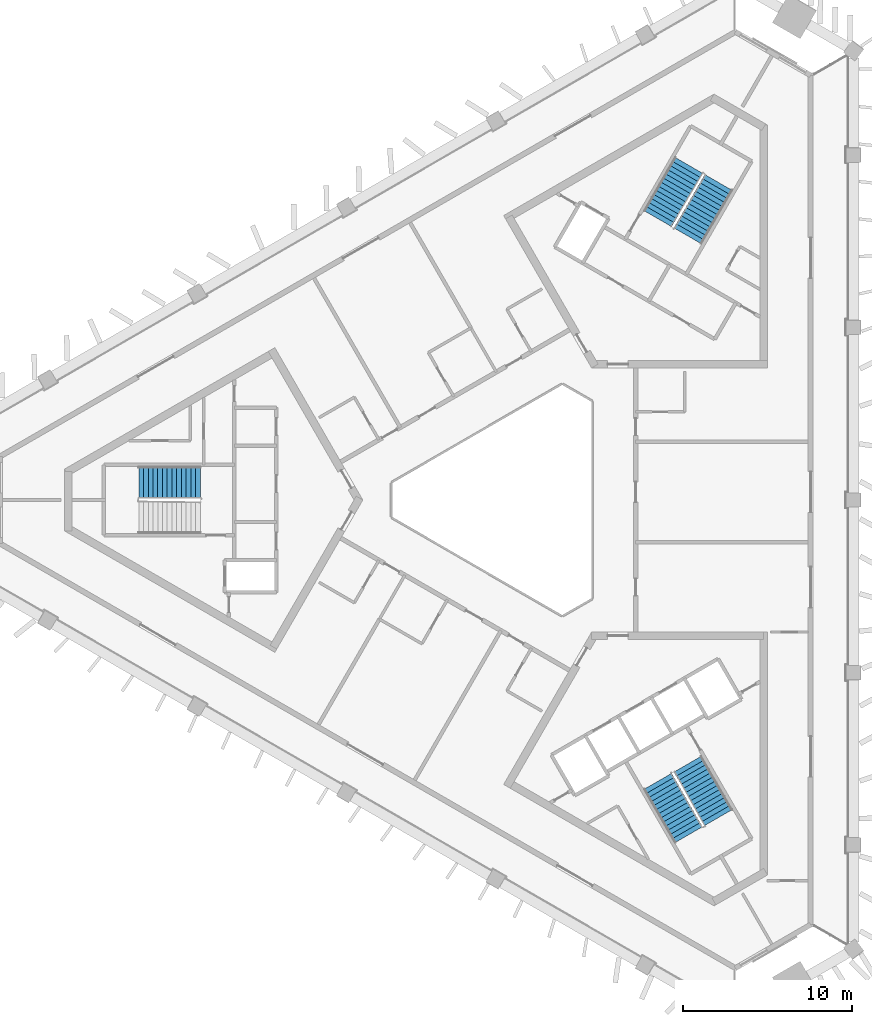
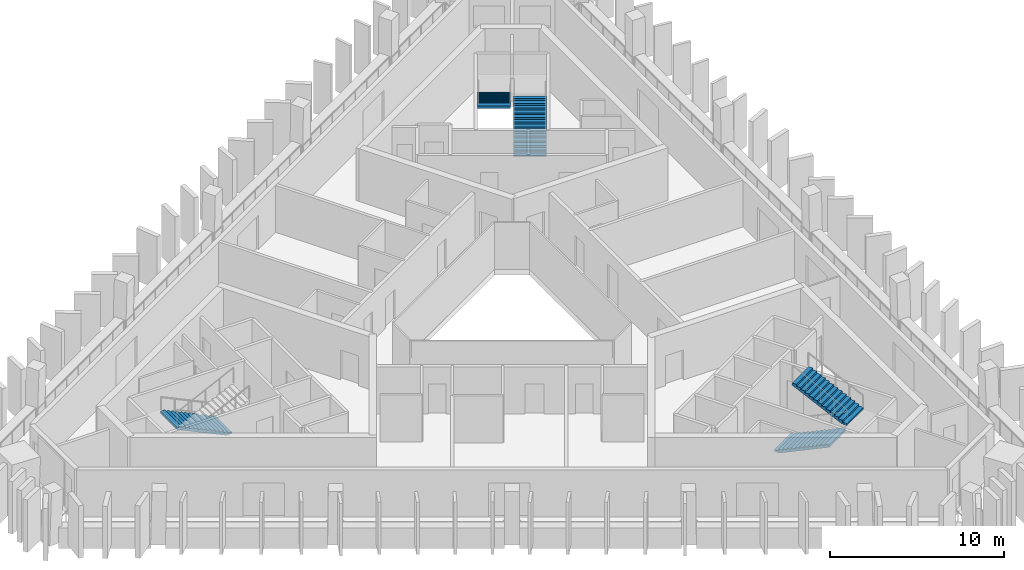
# One storey, part 6 of 9: 5 stair flights, 3 elements without a shape of their own.
"""IFC4 building model written with IfcOpenShell, lengths in metres."""

from ifc_helpers import new_model, si_unit, direction, frame, origin, place, context, subcontext, project, spatial, polyline, outline, extrude, material, type_object, element, aggregate, save


model = new_model("IFC4")

# Units and contexts
model_context = context("Model", 3, precision=1e-05, world=origin(), true_north=direction((0.0, 1.0)))
body_context = subcontext(model_context, "Body", "Model", "MODEL_VIEW")
ifc_project = project(units=[si_unit("LENGTHUNIT", "METRE"), si_unit("AREAUNIT", "SQUARE_METRE"), si_unit("VOLUMEUNIT", "CUBIC_METRE"), si_unit("PLANEANGLEUNIT", "RADIAN"), si_unit("MASSUNIT", "GRAM", prefix="KILO")], contexts=[model_context])

# Site, building, storey
site_placement = place(None, origin())
site = spatial("IfcSite", under=ifc_project, at=site_placement, CompositionType="ELEMENT")
building_placement = place(site_placement, origin())
building = spatial("IfcBuilding", under=site, at=building_placement, Name="Jabali Bay Hotel Tower and Convention Centre", CompositionType="ELEMENT")
storey_placement = place(building_placement, frame((0.0, 0.0, 231.699951171875)))
storey = spatial("IfcBuildingStorey", under=building, at=storey_placement, Name="L57", CompositionType="ELEMENT", Elevation=231.699951171875)

# Stair, stair flight
ifc_material = material(Name="Concrete C40", Category="concrete")
stair_type = type_object("IfcStairType", Name="Exit stair 1900", PredefinedType="HALF_TURN_STAIR", material=ifc_material)
stair_1_placement = place(storey_placement, origin())
stair_1 = element("IfcStair", 1, at=stair_1_placement, inside=storey, type_object=stair_type, Name="L57 Exit Stair 1", PredefinedType="HALF_TURN_STAIR")
stair_flight_type = type_object("IfcStairFlightType", Name="Stair flight concrete 150", PredefinedType="STRAIGHT", material=ifc_material)
stair_flight_1_placement = place(storey_placement, frame((56.419921875, 81.02490234375, 0.0), z_axis=(0.0, 0.0, 1.0), x_axis=(-1.0, 0.0, 0.0)))
stair_flight_1 = element("IfcStairFlight", 2, at=stair_flight_1_placement, type_object=stair_flight_type, Name="ST1 flight 1", NumberOfRisers=14, NumberOfTreads=13, PredefinedType="STRAIGHT", RiserHeight=0.132142857, TreadLength=0.28, context=body_context, shape_type="SweptSolid", body=[
    extrude(outline(polyline([(0.0, 0.0), (0.0, 0.132080078125), (0.280029296875, 0.132080078125), (0.280029296875, 0.264404296875), (0.56005859375, 0.264404296875), (0.56005859375, 0.396484375), (0.840087890625, 0.396484375), (0.840087890625, 0.528564453125), (1.1201171875, 0.528564453125), (1.1201171875, 0.66064453125), (1.39990234375, 0.66064453125), (1.39990234375, 0.79296875), (1.679931640625, 0.79296875), (1.679931640625, 0.925048828125), (1.9599609375, 0.925048828125), (1.9599609375, 1.05712890625), (2.239990234375, 1.05712890625), (2.239990234375, 1.189208984375), (2.52001953125, 1.189208984375), (2.52001953125, 1.321533203125), (2.800048828125, 1.321533203125), (2.800048828125, 1.45361328125), (3.080078125, 1.45361328125), (3.080078125, 1.585693359375), (3.360107421875, 1.585693359375), (3.360107421875, 1.7177734375), (3.639892578125, 1.7177734375), (3.639892578125, 1.85009765625), (3.639892578125, 1.552001953125), (0.351318359375, 0.0), (0.0, 0.0)])), frame((0.0, 0.949951171875, 0.0), z_axis=(0.0, -1.0, 0.0), x_axis=(1.0, 0.0, 0.0)), (0.0, 0.0, 1.0), 1.89990234375),
])
aggregate(stair_1, [stair_flight_1])

# Stair, stair flights
stair_2_placement = place(storey_placement, origin())
stair_2 = element("IfcStair", 3, at=stair_2_placement, inside=storey, type_object=stair_type, Name="L57 Exit Stair 2", PredefinedType="HALF_TURN_STAIR")
stair_flight_2_placement = place(storey_placement, frame((85.177734375, 95.578369140625, 0.0), z_axis=(0.0, 0.0, 1.0), x_axis=(0.5, 0.866025403784, 0.0)))
stair_flight_2 = element("IfcStairFlight", 4, at=stair_flight_2_placement, type_object=stair_flight_type, Name="ST2 flight 1", NumberOfRisers=14, NumberOfTreads=13, PredefinedType="STRAIGHT", RiserHeight=0.132142857, TreadLength=0.28, context=body_context, shape_type="SweptSolid", body=[
    extrude(outline(polyline([(0.0, 0.0), (0.0, 0.132080078125), (0.280029296875, 0.132080078125), (0.280029296875, 0.264404296875), (0.56005859375, 0.264404296875), (0.56005859375, 0.396484375), (0.840087890625, 0.396484375), (0.840087890625, 0.528564453125), (1.1201171875, 0.528564453125), (1.1201171875, 0.66064453125), (1.39990234375, 0.66064453125), (1.39990234375, 0.79296875), (1.679931640625, 0.79296875), (1.679931640625, 0.925048828125), (1.9599609375, 0.925048828125), (1.9599609375, 1.05712890625), (2.239990234375, 1.05712890625), (2.239990234375, 1.189208984375), (2.52001953125, 1.189208984375), (2.52001953125, 1.321533203125), (2.800048828125, 1.321533203125), (2.800048828125, 1.45361328125), (3.080078125, 1.45361328125), (3.080078125, 1.585693359375), (3.360107421875, 1.585693359375), (3.360107421875, 1.7177734375), (3.639892578125, 1.7177734375), (3.639892578125, 1.85009765625), (3.639892578125, 1.552001953125), (0.351318359375, 0.0), (0.0, 0.0)])), frame((0.0, 0.949951171875, 0.0), z_axis=(0.0, -1.0, 0.0), x_axis=(1.0, 0.0, 0.0)), (0.0, 0.0, 1.0), 1.89990234375),
])
stair_flight_3_placement = place(storey_placement, frame((85.222412109375, 99.755615234375, 1.85009765625), z_axis=(0.0, 0.0, 1.0), x_axis=(-0.5, -0.866025403784, 0.0)))
stair_flight_3 = element("IfcStairFlight", 5, at=stair_flight_3_placement, type_object=stair_flight_type, Name="ST2 flight 2", NumberOfRisers=14, NumberOfTreads=13, PredefinedType="STRAIGHT", RiserHeight=0.132142857, TreadLength=0.28, context=body_context, shape_type="SweptSolid", body=[
    extrude(outline(polyline([(0.0, 0.0), (0.0, 0.132080078125), (0.280029296875, 0.132080078125), (0.280029296875, 0.264404296875), (0.56005859375, 0.264404296875), (0.56005859375, 0.396484375), (0.840087890625, 0.396484375), (0.840087890625, 0.528564453125), (1.1201171875, 0.528564453125), (1.1201171875, 0.66064453125), (1.39990234375, 0.66064453125), (1.39990234375, 0.79296875), (1.679931640625, 0.79296875), (1.679931640625, 0.925048828125), (1.9599609375, 0.925048828125), (1.9599609375, 1.05712890625), (2.239990234375, 1.05712890625), (2.239990234375, 1.189208984375), (2.52001953125, 1.189208984375), (2.52001953125, 1.321533203125), (2.800048828125, 1.321533203125), (2.800048828125, 1.45361328125), (3.080078125, 1.45361328125), (3.080078125, 1.585693359375), (3.360107421875, 1.585693359375), (3.360107421875, 1.7177734375), (3.639892578125, 1.7177734375), (3.639892578125, 1.85009765625), (3.639892578125, 1.552001953125), (0.351318359375, 0.0), (0.0, 0.0)])), frame((0.0, 0.949951171875, 0.0), z_axis=(0.0, -1.0, 0.0), x_axis=(1.0, 0.0, 0.0)), (0.0, 0.0, 1.0), 1.89990234375),
])
aggregate(stair_2, [stair_flight_2, stair_flight_3])

stair_3_placement = place(storey_placement, origin())
stair_3 = element("IfcStair", 6, at=stair_3_placement, inside=storey, type_object=stair_type, Name="L57 Exit Stair 3", PredefinedType="HALF_TURN_STAIR")
stair_flight_4_placement = place(storey_placement, frame((83.40234375, 63.396728515625, 0.0), z_axis=(0.0, 0.0, 1.0), x_axis=(0.5, -0.866025403784, 0.0)))
stair_flight_4 = element("IfcStairFlight", 7, at=stair_flight_4_placement, type_object=stair_flight_type, Name="ST3 flight 1", NumberOfRisers=14, NumberOfTreads=13, PredefinedType="STRAIGHT", RiserHeight=0.132142857, TreadLength=0.28, context=body_context, shape_type="SweptSolid", body=[
    extrude(outline(polyline([(0.0, 0.0), (0.0, 0.132080078125), (0.280029296875, 0.132080078125), (0.280029296875, 0.264404296875), (0.56005859375, 0.264404296875), (0.56005859375, 0.396484375), (0.840087890625, 0.396484375), (0.840087890625, 0.528564453125), (1.1201171875, 0.528564453125), (1.1201171875, 0.66064453125), (1.39990234375, 0.66064453125), (1.39990234375, 0.79296875), (1.679931640625, 0.79296875), (1.679931640625, 0.925048828125), (1.9599609375, 0.925048828125), (1.9599609375, 1.05712890625), (2.239990234375, 1.05712890625), (2.239990234375, 1.189208984375), (2.52001953125, 1.189208984375), (2.52001953125, 1.321533203125), (2.800048828125, 1.321533203125), (2.800048828125, 1.45361328125), (3.080078125, 1.45361328125), (3.080078125, 1.585693359375), (3.360107421875, 1.585693359375), (3.360107421875, 1.7177734375), (3.639892578125, 1.7177734375), (3.639892578125, 1.85009765625), (3.639892578125, 1.552001953125), (0.351318359375, 0.0), (0.0, 0.0)])), frame((0.0, 0.949951171875, 0.0), z_axis=(0.0, -1.0, 0.0), x_axis=(1.0, 0.0, 0.0)), (0.0, 0.0, 1.0), 1.89990234375),
])
stair_flight_5_placement = place(storey_placement, frame((86.99755859375, 61.26953125, 1.85009765625), z_axis=(0.0, 0.0, 1.0), x_axis=(-0.5, 0.866025403784, 0.0)))
stair_flight_5 = element("IfcStairFlight", 8, at=stair_flight_5_placement, type_object=stair_flight_type, Name="ST3 flight 2", NumberOfRisers=14, NumberOfTreads=13, PredefinedType="STRAIGHT", RiserHeight=0.132142857, TreadLength=0.28, context=body_context, shape_type="SweptSolid", body=[
    extrude(outline(polyline([(0.0, 0.0), (0.0, 0.132080078125), (0.280029296875, 0.132080078125), (0.280029296875, 0.264404296875), (0.56005859375, 0.264404296875), (0.56005859375, 0.396484375), (0.840087890625, 0.396484375), (0.840087890625, 0.528564453125), (1.1201171875, 0.528564453125), (1.1201171875, 0.66064453125), (1.39990234375, 0.66064453125), (1.39990234375, 0.79296875), (1.679931640625, 0.79296875), (1.679931640625, 0.925048828125), (1.9599609375, 0.925048828125), (1.9599609375, 1.05712890625), (2.239990234375, 1.05712890625), (2.239990234375, 1.189208984375), (2.52001953125, 1.189208984375), (2.52001953125, 1.321533203125), (2.800048828125, 1.321533203125), (2.800048828125, 1.45361328125), (3.080078125, 1.45361328125), (3.080078125, 1.585693359375), (3.360107421875, 1.585693359375), (3.360107421875, 1.7177734375), (3.639892578125, 1.7177734375), (3.639892578125, 1.85009765625), (3.639892578125, 1.552001953125), (0.351318359375, 0.0), (0.0, 0.0)])), frame((0.0, 0.949951171875, 0.0), z_axis=(0.0, -1.0, 0.0), x_axis=(1.0, 0.0, 0.0)), (0.0, 0.0, 1.0), 1.89990234375),
])
aggregate(stair_3, [stair_flight_4, stair_flight_5])

save(model, "model.ifc")
